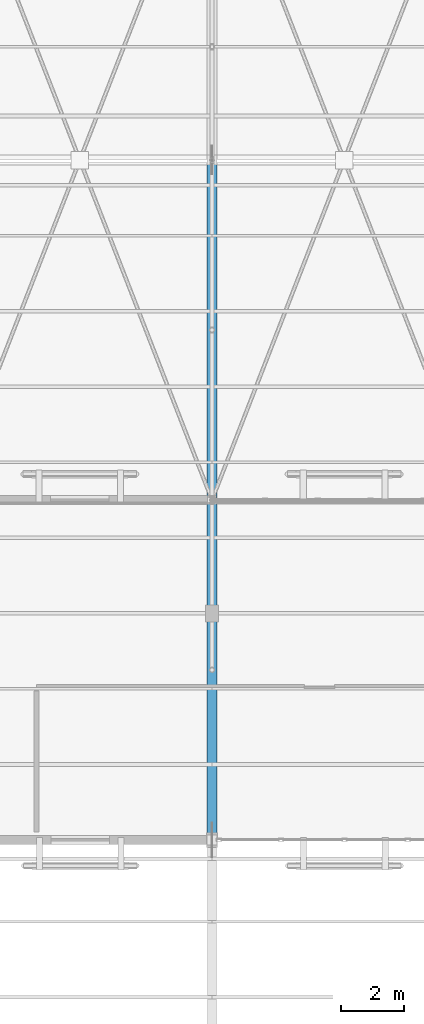
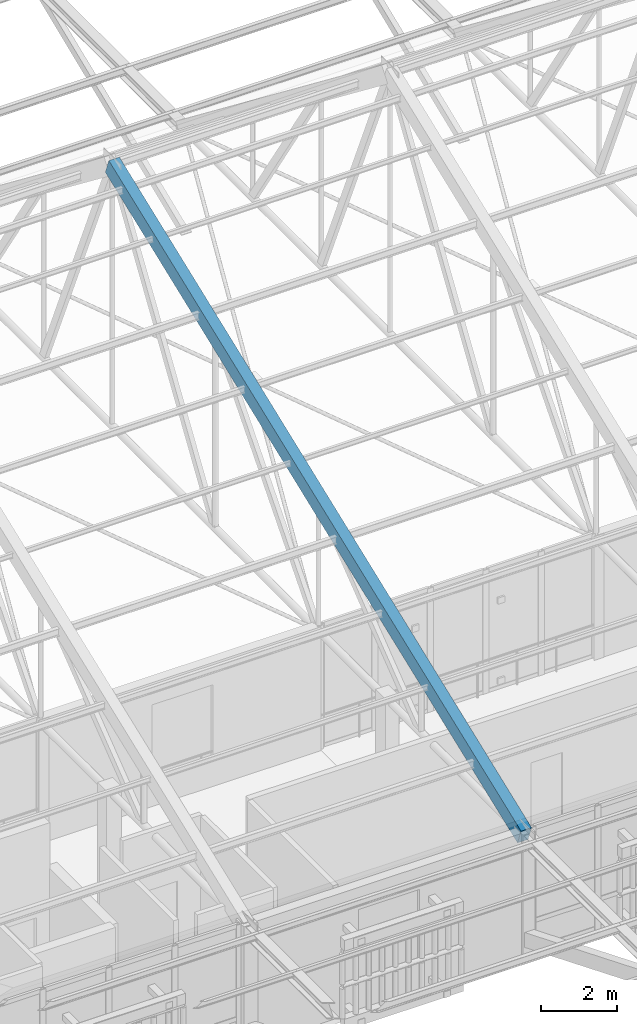
# One storey, part 89 of 217: 1 member.
"""IFC4 building model written with IfcOpenShell, lengths in metres."""

from ifc_helpers import new_model, si_unit, direction, frame, origin, origin_2d, place, context, subcontext, project, spatial, rectangle, extrude, material, material_profile, profile_set, type_object, element, save


model = new_model("IFC4")

# Units and contexts
model_context = context("Model", 3, precision=1e-05, world=origin(), true_north=direction((0.0, 1.0)))
body_context = subcontext(model_context, "Body", "Model", "MODEL_VIEW")
ifc_project = project(units=[si_unit("LENGTHUNIT", "METRE"), si_unit("AREAUNIT", "SQUARE_METRE"), si_unit("VOLUMEUNIT", "CUBIC_METRE"), si_unit("PLANEANGLEUNIT", "RADIAN"), si_unit("MASSUNIT", "GRAM", prefix="KILO")], contexts=[model_context])

# Site, building, storey
site_placement = place(None, origin())
site = spatial("IfcSite", under=ifc_project, at=site_placement, CompositionType="ELEMENT")
building_placement = place(site_placement, origin())
building = spatial("IfcBuilding", under=site, at=building_placement, Name="Mazaris Harbour Polytechnic", CompositionType="ELEMENT")
storey_placement = place(building_placement, frame((0.0, 0.0, 9.60009765625)))
storey = spatial("IfcBuildingStorey", under=building, at=storey_placement, Name="L02", CompositionType="ELEMENT", Elevation=9.60009765625)

# Member
ifc_material = material(Name="Glulam GL32h", Category="wood")
ifc_material_profile = material_profile(ifc_material, rectangle(XDim=0.320068359375, YDim=0.52001953125, at=origin_2d()), Name="RECT320x520")
ifc_profile_set = profile_set([ifc_material_profile], Name="Glulam GL32h")
member_type = type_object("IfcMemberType", Name="Glulam Top Chord 320x520", PredefinedType="CHORD", material=ifc_profile_set)
member_placement = place(storey_placement, frame((87.60009765625, 75.60009765625, 3.75), z_axis=(0.0, 0.93273343771, 0.360566684786), x_axis=(-1.0, 0.0, 0.0)))
element("IfcMember", 1, at=member_placement, inside=storey, type_object=member_type, Name="Truss 5 South Glulam Top Chord", PredefinedType="CHORD", context=body_context, shape_type="SweptSolid", body=[
    extrude(rectangle(XDim=0.320068359375, YDim=0.52001953125, at=origin_2d()), origin(), (0.0, 0.0, 1.0), 23.157470703125),
])

save(model, "model.ifc")
